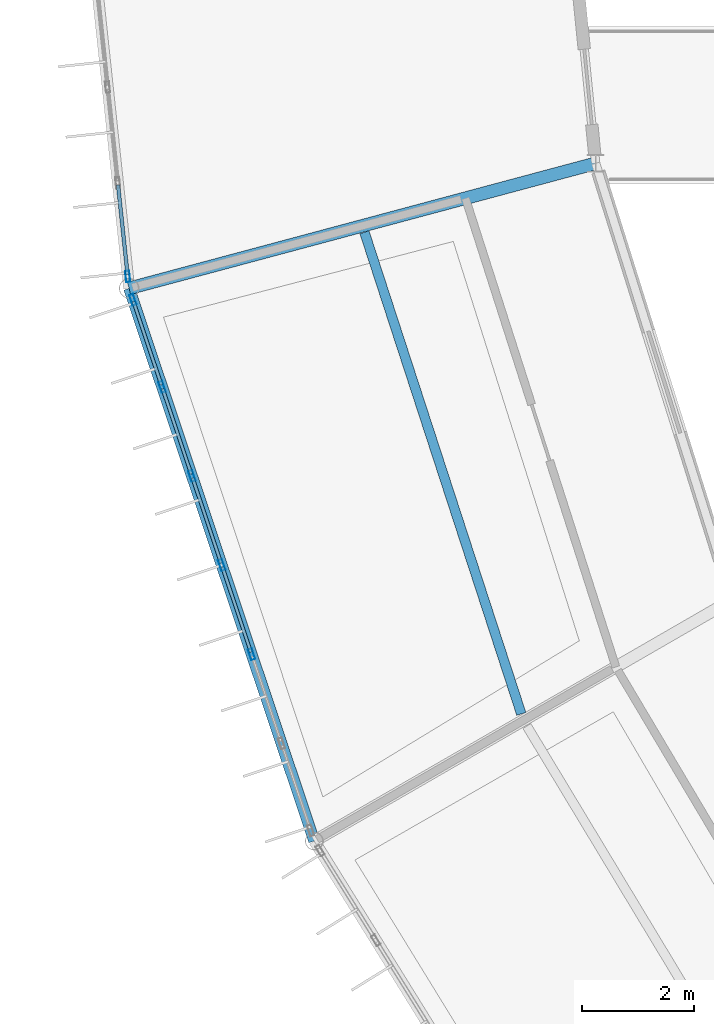
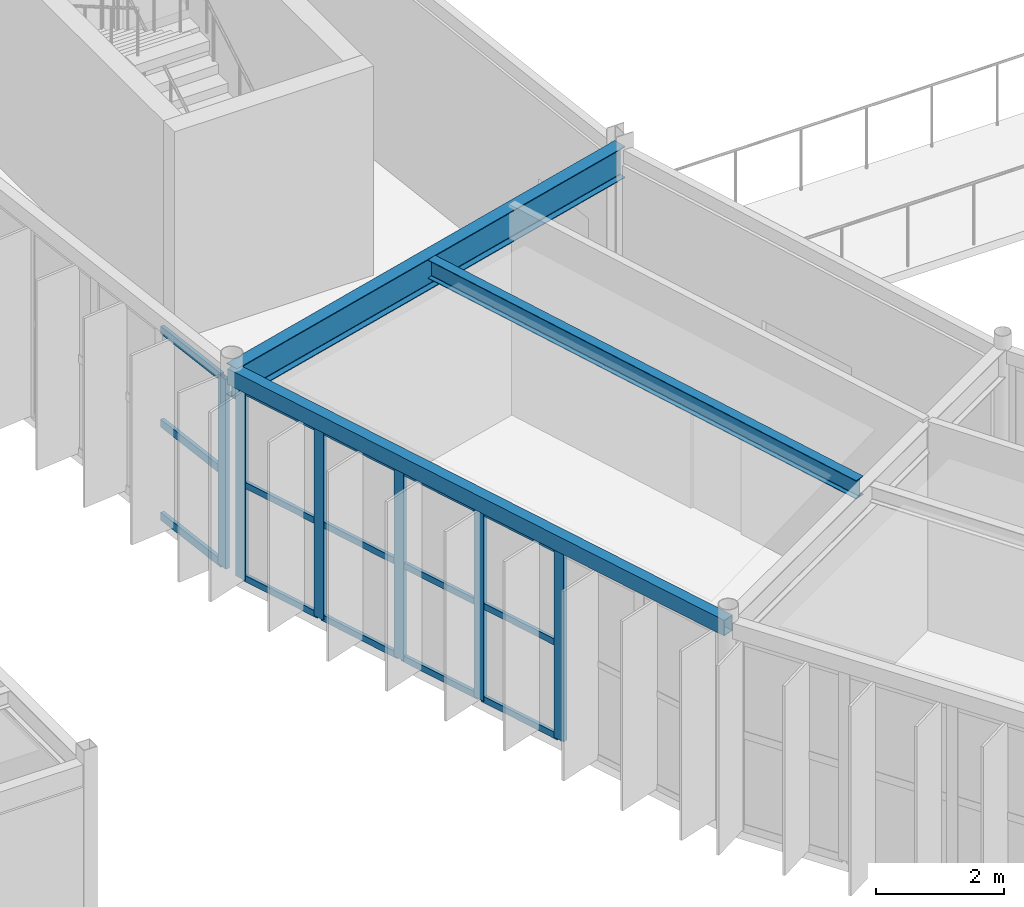
# One storey, part 41 of 147: 21 members, 3 beams, 2 elements without a shape of their own.
"""IFC4 building model written with IfcOpenShell, lengths in metres."""

from ifc_helpers import new_model, si_unit, direction, frame, origin, origin_2d, place, context, subcontext, project, spatial, hollow_rectangle, i_section, extrude, material, material_profile, profile_set, type_object, element, aggregate, save


model = new_model("IFC4")

# Units and contexts
model_context = context("Model", 3, precision=1e-05, world=origin(), true_north=direction((0.0, 1.0)))
body_context = subcontext(model_context, "Body", "Model", "MODEL_VIEW")
ifc_project = project(units=[si_unit("LENGTHUNIT", "METRE"), si_unit("AREAUNIT", "SQUARE_METRE"), si_unit("VOLUMEUNIT", "CUBIC_METRE"), si_unit("PLANEANGLEUNIT", "RADIAN"), si_unit("MASSUNIT", "GRAM", prefix="KILO")], contexts=[model_context])

# Site, building, storey
site_placement = place(None, origin())
site = spatial("IfcSite", under=ifc_project, at=site_placement, CompositionType="ELEMENT")
building_placement = place(site_placement, origin())
building = spatial("IfcBuilding", under=site, at=building_placement, Name="Karori Crest Natural Sciences Institute", CompositionType="ELEMENT")
storey_placement = place(building_placement, frame((0.0, 0.0, 9.10009765625)))
storey = spatial("IfcBuildingStorey", under=building, at=storey_placement, Name="L02", CompositionType="ELEMENT", Elevation=9.10009765625)

# Beams
ifc_material_1 = material(Name="Hollow structural steel AS/NZS 1163 Grade C350", Category="steel")
ifc_material_profile_1 = material_profile(ifc_material_1, hollow_rectangle(XDim=0.199951171875, YDim=0.300048828125, WallThickness=0.010009765625, at=origin_2d()), Name="RHS300x200x10")
ifc_profile_set_1 = profile_set([ifc_material_profile_1], Name="Hollow structural steel AS/NZS 1163 Grade C350")
beam_type_1 = type_object("IfcBeamType", Name="BT-15", PredefinedType="SPANDREL", material=ifc_profile_set_1)
beam_1_placement = place(storey_placement, frame((34.5244140625, 39.340087890625, 3.789794921875), z_axis=(0.317688324477, -0.948195195353, 0.0), x_axis=(0.948195195353, 0.317688324477, 0.0)))
element("IfcBeam", 1, at=beam_1_placement, inside=storey, type_object=beam_type_1, Name="Beam B-0318", PredefinedType="SPANDREL", context=body_context, shape_type="SweptSolid", body=[
    extrude(hollow_rectangle(XDim=0.199951171875, YDim=0.300048828125, WallThickness=0.010009765625, at=origin_2d()), origin(), (0.0, 0.0, 1.0), 10.377685546875),
])
ifc_material_2 = material(Name="Structural steel AS/NZS 3679.1 Grade 350", Category="steel")
ifc_material_profile_2 = material_profile(ifc_material_2, i_section(OverallWidth=0.22802734375, OverallDepth=0.60205078125, WebThickness=0.010498046875, FlangeThickness=0.014892578125, FilletRadius=0.013916015625, at=origin_2d()), Name="610UB101")
ifc_profile_set_2 = profile_set([ifc_material_profile_2], Name="Structural steel AS/NZS 3679.1 Grade 350")
beam_type_2 = type_object("IfcBeamType", Name="BT-27", PredefinedType="BEAM", material=ifc_profile_set_2)
beam_2_placement = place(storey_placement, frame((42.831298828125, 41.56591796875, 3.638916015625), z_axis=(-0.965925622404, -0.258819806009, 0.0), x_axis=(0.258819806009, -0.965925622404, 0.0)))
element("IfcBeam", 2, at=beam_2_placement, inside=storey, type_object=beam_type_2, Name="Beam B-0320", PredefinedType="BEAM", context=body_context, shape_type="SweptSolid", body=[
    extrude(i_section(OverallWidth=0.22802734375, OverallDepth=0.60205078125, WebThickness=0.010498046875, FlangeThickness=0.014892578125, FilletRadius=0.013916015625, at=origin_2d()), origin(), (0.0, 0.0, 1.0), 8.599853515625),
])
ifc_material_profile_3 = material_profile(ifc_material_2, i_section(OverallWidth=0.1708984375, OverallDepth=0.35595703125, WebThickness=0.00732421875, FlangeThickness=0.011474609375, FilletRadius=0.010986328125, at=origin_2d()), Name="360UB50.7")
ifc_profile_set_3 = profile_set([ifc_material_profile_3], Name="Structural steel AS/NZS 3679.1 Grade 350")
beam_type_3 = type_object("IfcBeamType", Name="BT-30", PredefinedType="BEAM", material=ifc_profile_set_3)
beam_3_placement = place(storey_placement, frame((38.715087890625, 40.339111328125, 3.761962890625), z_axis=(0.309674277679, -0.950842700842, 0.0), x_axis=(0.950842700842, 0.309674277679, 0.0)))
element("IfcBeam", 3, at=beam_3_placement, inside=storey, type_object=beam_type_3, Name="Beam B-0321", PredefinedType="BEAM", context=body_context, shape_type="SweptSolid", body=[
    extrude(i_section(OverallWidth=0.1708984375, OverallDepth=0.35595703125, WebThickness=0.00732421875, FlangeThickness=0.011474609375, FilletRadius=0.010986328125, at=origin_2d()), origin(), (0.0, 0.0, 1.0), 9.018310546875),
])

# Curtain wall, member
ifc_material_3 = material(Name="Anodised architectural aluminium 6063-T6", Category="aluminium")
curtain_wall_type_1 = type_object("IfcCurtainWallType", Name="CWT-03", PredefinedType="NOTDEFINED", material=ifc_material_3)
curtain_wall_1_placement = place(storey_placement, origin())
curtain_wall_1 = element("IfcCurtainWall", 4, at=curtain_wall_1_placement, inside=storey, type_object=curtain_wall_type_1, Name="Curtain wall CW-0083", PredefinedType="NOTDEFINED")
ifc_material_profile_4 = material_profile(ifc_material_3, hollow_rectangle(XDim=0.074951171875, YDim=0.199951171875, WallThickness=0.0048828125, at=origin_2d()), Name="CWM200x75x5")
ifc_profile_set_4 = profile_set([ifc_material_profile_4], Name="Anodised architectural aluminium 6063-T6")
member_type_1 = type_object("IfcMemberType", Name="CWM-02", PredefinedType="MULLION", material=ifc_profile_set_4)
member_1_placement = place(storey_placement, frame((34.501708984375, 39.55224609375, 0.0), z_axis=(0.0, 0.0, 1.0), x_axis=(-0.994378742451, -0.105881615789, 0.0)))
member_1 = element("IfcMember", 5, at=member_1_placement, type_object=member_type_1, Name="CW-0083 mullion 1", PredefinedType="MULLION", context=body_context, shape_type="SweptSolid", body=[
    extrude(hollow_rectangle(XDim=0.074951171875, YDim=0.199951171875, WallThickness=0.0048828125, at=origin_2d()), origin(), (0.0, 0.0, 1.0), 3.625),
])

# Curtain wall, members
curtain_wall_type_2 = type_object("IfcCurtainWallType", Name="CWT-04", PredefinedType="NOTDEFINED", material=ifc_material_3)
curtain_wall_2_placement = place(storey_placement, origin())
curtain_wall_2 = element("IfcCurtainWall", 6, at=curtain_wall_2_placement, inside=storey, type_object=curtain_wall_type_2, Name="Curtain wall CW-0084", PredefinedType="NOTDEFINED")
member_2_placement = place(storey_placement, frame((36.70703125, 32.82568359375, 0.0), z_axis=(0.0, 0.0, 1.0), x_axis=(-0.948196219586, -0.317685267462, 0.0)))
member_2 = element("IfcMember", 7, at=member_2_placement, type_object=member_type_1, Name="CW-0084 mullion 3", PredefinedType="MULLION", context=body_context, shape_type="SweptSolid", body=[
    extrude(hollow_rectangle(XDim=0.074951171875, YDim=0.199951171875, WallThickness=0.0048828125, at=origin_2d()), origin(), (0.0, 0.0, 1.0), 3.625),
])
member_3_placement = place(storey_placement, frame((36.17529296875, 34.41259765625, 0.0), z_axis=(0.0, 0.0, 1.0), x_axis=(-0.948196219586, -0.317685267462, 0.0)))
member_3 = element("IfcMember", 8, at=member_3_placement, type_object=member_type_1, Name="CW-0084 mullion 4", PredefinedType="MULLION", context=body_context, shape_type="SweptSolid", body=[
    extrude(hollow_rectangle(XDim=0.074951171875, YDim=0.199951171875, WallThickness=0.0048828125, at=origin_2d()), origin(), (0.0, 0.0, 1.0), 3.625),
])
member_4_placement = place(storey_placement, frame((35.6435546875, 35.99951171875, 0.0), z_axis=(0.0, 0.0, 1.0), x_axis=(-0.948196219586, -0.317685267462, 0.0)))
member_4 = element("IfcMember", 9, at=member_4_placement, type_object=member_type_1, Name="CW-0084 mullion 5", PredefinedType="MULLION", context=body_context, shape_type="SweptSolid", body=[
    extrude(hollow_rectangle(XDim=0.074951171875, YDim=0.199951171875, WallThickness=0.0048828125, at=origin_2d()), origin(), (0.0, 0.0, 1.0), 3.625),
])
member_5_placement = place(storey_placement, frame((35.11181640625, 37.58642578125, 0.0), z_axis=(0.0, 0.0, 1.0), x_axis=(-0.948196219586, -0.317685267462, 0.0)))
member_5 = element("IfcMember", 10, at=member_5_placement, type_object=member_type_1, Name="CW-0084 mullion 6", PredefinedType="MULLION", context=body_context, shape_type="SweptSolid", body=[
    extrude(hollow_rectangle(XDim=0.074951171875, YDim=0.199951171875, WallThickness=0.0048828125, at=origin_2d()), origin(), (0.0, 0.0, 1.0), 3.625),
])
member_6_placement = place(storey_placement, frame((34.592041015625, 39.137939453125, 0.0), z_axis=(0.0, 0.0, 1.0), x_axis=(-0.948196219586, -0.317685267462, 0.0)))
member_6 = element("IfcMember", 11, at=member_6_placement, type_object=member_type_1, Name="CW-0084 mullion 7", PredefinedType="MULLION", context=body_context, shape_type="SweptSolid", body=[
    extrude(hollow_rectangle(XDim=0.074951171875, YDim=0.199951171875, WallThickness=0.0048828125, at=origin_2d()), origin(), (0.0, 0.0, 1.0), 3.625),
])
ifc_material_profile_5 = material_profile(ifc_material_3, hollow_rectangle(XDim=0.06005859375, YDim=0.1201171875, WallThickness=0.00390625, at=origin_2d()), Name="CWT120x60x4")
ifc_profile_set_5 = profile_set([ifc_material_profile_5], Name="Anodised architectural aluminium 6063-T6")
member_type_2 = type_object("IfcMemberType", Name="CWT-TR1", PredefinedType="USERDEFINED", material=ifc_profile_set_5)
member_7_placement = place(storey_placement, frame((36.695068359375, 32.861083984375, 0.02978515625), z_axis=(-0.317647663217, 0.948208817747, 0.0), x_axis=(-0.948208817747, -0.317647663217, 0.0)))
member_7 = element("IfcMember", 12, at=member_7_placement, type_object=member_type_2, Name="CW-0084 transom 3.1", ObjectType="TRANSOM", PredefinedType="USERDEFINED", context=body_context, shape_type="SweptSolid", body=[
    extrude(hollow_rectangle(XDim=0.06005859375, YDim=0.1201171875, WallThickness=0.00390625, at=origin_2d()), origin(), (0.0, 0.0, 1.0), 1.5986328125),
])
member_8_placement = place(storey_placement, frame((36.695068359375, 32.861083984375, 1.8125), z_axis=(-0.317647663217, 0.948208817747, 0.0), x_axis=(-0.948208817747, -0.317647663217, 0.0)))
member_8 = element("IfcMember", 13, at=member_8_placement, type_object=member_type_2, Name="CW-0084 transom 3.2", ObjectType="TRANSOM", PredefinedType="USERDEFINED", context=body_context, shape_type="SweptSolid", body=[
    extrude(hollow_rectangle(XDim=0.06005859375, YDim=0.1201171875, WallThickness=0.00390625, at=origin_2d()), origin(), (0.0, 0.0, 1.0), 1.5986328125),
])
member_9_placement = place(storey_placement, frame((36.695068359375, 32.861083984375, 3.594970703125), z_axis=(-0.317647663217, 0.948208817747, 0.0), x_axis=(-0.948208817747, -0.317647663217, 0.0)))
member_9 = element("IfcMember", 14, at=member_9_placement, type_object=member_type_2, Name="CW-0084 transom 3.3", ObjectType="TRANSOM", PredefinedType="USERDEFINED", context=body_context, shape_type="SweptSolid", body=[
    extrude(hollow_rectangle(XDim=0.06005859375, YDim=0.1201171875, WallThickness=0.00390625, at=origin_2d()), origin(), (0.0, 0.0, 1.0), 1.5986328125),
])
member_10_placement = place(storey_placement, frame((36.163330078125, 34.4482421875, 0.02978515625), z_axis=(-0.317647663217, 0.948208817747, 0.0), x_axis=(-0.948208817747, -0.317647663217, 0.0)))
member_10 = element("IfcMember", 15, at=member_10_placement, type_object=member_type_2, Name="CW-0084 transom 4.1", ObjectType="TRANSOM", PredefinedType="USERDEFINED", context=body_context, shape_type="SweptSolid", body=[
    extrude(hollow_rectangle(XDim=0.06005859375, YDim=0.1201171875, WallThickness=0.00390625, at=origin_2d()), origin(), (0.0, 0.0, 1.0), 1.5986328125),
])
member_11_placement = place(storey_placement, frame((36.163330078125, 34.4482421875, 1.8125), z_axis=(-0.317647663217, 0.948208817747, 0.0), x_axis=(-0.948208817747, -0.317647663217, 0.0)))
member_11 = element("IfcMember", 16, at=member_11_placement, type_object=member_type_2, Name="CW-0084 transom 4.2", ObjectType="TRANSOM", PredefinedType="USERDEFINED", context=body_context, shape_type="SweptSolid", body=[
    extrude(hollow_rectangle(XDim=0.06005859375, YDim=0.1201171875, WallThickness=0.00390625, at=origin_2d()), origin(), (0.0, 0.0, 1.0), 1.5986328125),
])
member_12_placement = place(storey_placement, frame((36.163330078125, 34.4482421875, 3.594970703125), z_axis=(-0.317647663217, 0.948208817747, 0.0), x_axis=(-0.948208817747, -0.317647663217, 0.0)))
member_12 = element("IfcMember", 17, at=member_12_placement, type_object=member_type_2, Name="CW-0084 transom 4.3", ObjectType="TRANSOM", PredefinedType="USERDEFINED", context=body_context, shape_type="SweptSolid", body=[
    extrude(hollow_rectangle(XDim=0.06005859375, YDim=0.1201171875, WallThickness=0.00390625, at=origin_2d()), origin(), (0.0, 0.0, 1.0), 1.5986328125),
])
member_13_placement = place(storey_placement, frame((35.631591796875, 36.03515625, 0.02978515625), z_axis=(-0.317647663217, 0.948208817747, 0.0), x_axis=(-0.948208817747, -0.317647663217, 0.0)))
member_13 = element("IfcMember", 18, at=member_13_placement, type_object=member_type_2, Name="CW-0084 transom 5.1", ObjectType="TRANSOM", PredefinedType="USERDEFINED", context=body_context, shape_type="SweptSolid", body=[
    extrude(hollow_rectangle(XDim=0.06005859375, YDim=0.1201171875, WallThickness=0.00390625, at=origin_2d()), origin(), (0.0, 0.0, 1.0), 1.5986328125),
])
member_14_placement = place(storey_placement, frame((35.631591796875, 36.03515625, 1.8125), z_axis=(-0.317647663217, 0.948208817747, 0.0), x_axis=(-0.948208817747, -0.317647663217, 0.0)))
member_14 = element("IfcMember", 19, at=member_14_placement, type_object=member_type_2, Name="CW-0084 transom 5.2", ObjectType="TRANSOM", PredefinedType="USERDEFINED", context=body_context, shape_type="SweptSolid", body=[
    extrude(hollow_rectangle(XDim=0.06005859375, YDim=0.1201171875, WallThickness=0.00390625, at=origin_2d()), origin(), (0.0, 0.0, 1.0), 1.5986328125),
])
member_15_placement = place(storey_placement, frame((35.631591796875, 36.03515625, 3.594970703125), z_axis=(-0.317647663217, 0.948208817747, 0.0), x_axis=(-0.948208817747, -0.317647663217, 0.0)))
member_15 = element("IfcMember", 20, at=member_15_placement, type_object=member_type_2, Name="CW-0084 transom 5.3", ObjectType="TRANSOM", PredefinedType="USERDEFINED", context=body_context, shape_type="SweptSolid", body=[
    extrude(hollow_rectangle(XDim=0.06005859375, YDim=0.1201171875, WallThickness=0.00390625, at=origin_2d()), origin(), (0.0, 0.0, 1.0), 1.5986328125),
])
member_16_placement = place(storey_placement, frame((35.10009765625, 37.6220703125, 0.02978515625), z_axis=(-0.317775562464, 0.948165962214, 0.0), x_axis=(-0.948165962214, -0.317775562464, 0.0)))
member_16 = element("IfcMember", 21, at=member_16_placement, type_object=member_type_2, Name="CW-0084 transom 6.1", ObjectType="TRANSOM", PredefinedType="USERDEFINED", context=body_context, shape_type="SweptSolid", body=[
    extrude(hollow_rectangle(XDim=0.06005859375, YDim=0.1201171875, WallThickness=0.00390625, at=origin_2d()), origin(), (0.0, 0.0, 1.0), 1.56103515625),
])
member_17_placement = place(storey_placement, frame((35.10009765625, 37.6220703125, 1.8125), z_axis=(-0.317775562464, 0.948165962214, 0.0), x_axis=(-0.948165962214, -0.317775562464, 0.0)))
member_17 = element("IfcMember", 22, at=member_17_placement, type_object=member_type_2, Name="CW-0084 transom 6.2", ObjectType="TRANSOM", PredefinedType="USERDEFINED", context=body_context, shape_type="SweptSolid", body=[
    extrude(hollow_rectangle(XDim=0.06005859375, YDim=0.1201171875, WallThickness=0.00390625, at=origin_2d()), origin(), (0.0, 0.0, 1.0), 1.56103515625),
])
member_18_placement = place(storey_placement, frame((35.10009765625, 37.6220703125, 3.594970703125), z_axis=(-0.317775562464, 0.948165962214, 0.0), x_axis=(-0.948165962214, -0.317775562464, 0.0)))
member_18 = element("IfcMember", 23, at=member_18_placement, type_object=member_type_2, Name="CW-0084 transom 6.3", ObjectType="TRANSOM", PredefinedType="USERDEFINED", context=body_context, shape_type="SweptSolid", body=[
    extrude(hollow_rectangle(XDim=0.06005859375, YDim=0.1201171875, WallThickness=0.00390625, at=origin_2d()), origin(), (0.0, 0.0, 1.0), 1.56103515625),
])
aggregate(curtain_wall_2, [member_2, member_3, member_4, member_5, member_6, member_7, member_8, member_9, member_10, member_11, member_12, member_13, member_14, member_15, member_16, member_17, member_18])

# Member
ifc_material_profile_6 = material_profile(ifc_material_3, hollow_rectangle(XDim=0.06494140625, YDim=0.14990234375, WallThickness=0.00390625, at=origin_2d()), Name="CWT150x65x4")
ifc_profile_set_6 = profile_set([ifc_material_profile_6], Name="Anodised architectural aluminium 6063-T6")
member_type_3 = type_object("IfcMemberType", Name="CWT-TR2", PredefinedType="USERDEFINED", material=ifc_profile_set_6)
member_19_placement = place(storey_placement, frame((34.497802734375, 39.589599609375, 0.032470703125), z_axis=(-0.105827760466, 0.9943844755, 0.0), x_axis=(-0.9943844755, -0.105827760466, 0.0)))
member_19 = element("IfcMember", 24, at=member_19_placement, type_object=member_type_3, Name="CW-0083 transom 1.1", ObjectType="TRANSOM", PredefinedType="USERDEFINED", context=body_context, shape_type="SweptSolid", body=[
    extrude(hollow_rectangle(XDim=0.06494140625, YDim=0.14990234375, WallThickness=0.00390625, at=origin_2d()), origin(), (0.0, 0.0, 1.0), 1.60107421875),
])

member_20_placement = place(storey_placement, frame((34.497802734375, 39.589599609375, 1.8125), z_axis=(-0.105827760466, 0.9943844755, 0.0), x_axis=(-0.9943844755, -0.105827760466, 0.0)))
member_20 = element("IfcMember", 25, at=member_20_placement, type_object=member_type_3, Name="CW-0083 transom 1.2", ObjectType="TRANSOM", PredefinedType="USERDEFINED", context=body_context, shape_type="SweptSolid", body=[
    extrude(hollow_rectangle(XDim=0.06494140625, YDim=0.14990234375, WallThickness=0.00390625, at=origin_2d()), origin(), (0.0, 0.0, 1.0), 1.60107421875),
])

member_21_placement = place(storey_placement, frame((34.497802734375, 39.589599609375, 3.59228515625), z_axis=(-0.105827760466, 0.9943844755, 0.0), x_axis=(-0.9943844755, -0.105827760466, 0.0)))
member_21 = element("IfcMember", 26, at=member_21_placement, type_object=member_type_3, Name="CW-0083 transom 1.3", ObjectType="TRANSOM", PredefinedType="USERDEFINED", context=body_context, shape_type="SweptSolid", body=[
    extrude(hollow_rectangle(XDim=0.06494140625, YDim=0.14990234375, WallThickness=0.00390625, at=origin_2d()), origin(), (0.0, 0.0, 1.0), 1.60107421875),
])

aggregate(curtain_wall_1, [member_1, member_19, member_20, member_21])

save(model, "model.ifc")
